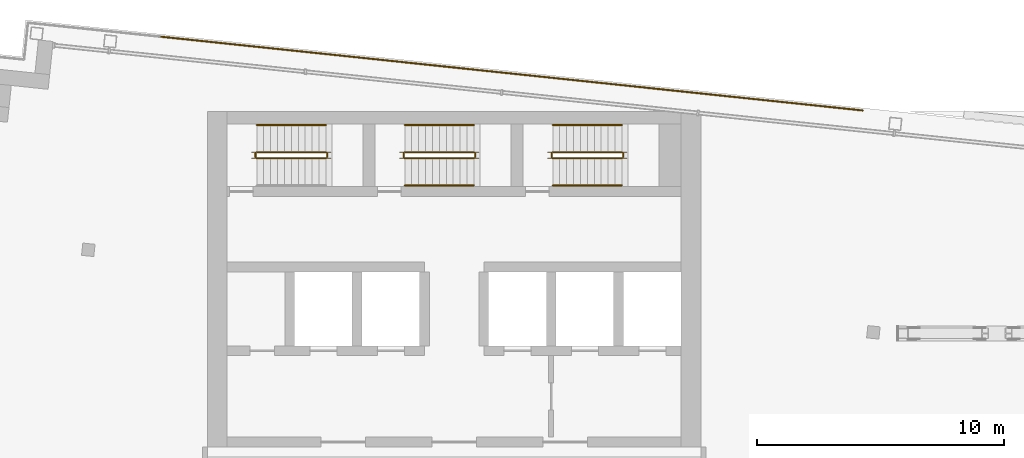
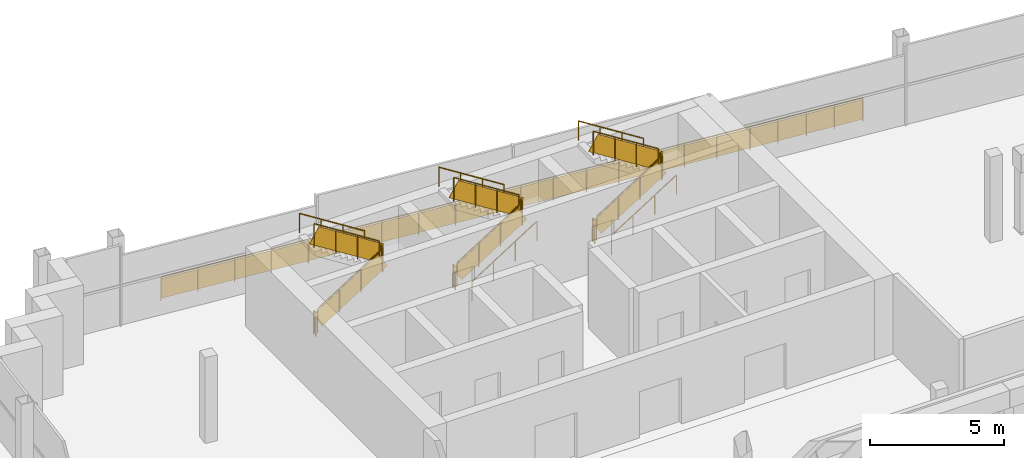
# One storey, part 17 of 18: 20 railings.
"""IFC4 building model written with IfcOpenShell, lengths in metres."""

from ifc_helpers import new_model, si_unit, direction, frame, origin, origin_2d, place, context, subcontext, project, spatial, rectangle, circle, extrude, material, type_object, element, save


model = new_model("IFC4")

# Units and contexts
model_context = context("Model", 3, precision=1e-05, world=origin(), true_north=direction((0.0, 1.0)))
body_context = subcontext(model_context, "Body", "Model", "MODEL_VIEW")
ifc_project = project(units=[si_unit("LENGTHUNIT", "METRE"), si_unit("AREAUNIT", "SQUARE_METRE"), si_unit("VOLUMEUNIT", "CUBIC_METRE"), si_unit("PLANEANGLEUNIT", "RADIAN"), si_unit("MASSUNIT", "GRAM", prefix="KILO")], contexts=[model_context])

# Site, building, storey
site_placement = place(None, origin())
site = spatial("IfcSite", under=ifc_project, at=site_placement, CompositionType="ELEMENT")
building_placement = place(site_placement, origin())
building = spatial("IfcBuilding", under=site, at=building_placement, Name="Vidyagriha Tower", CompositionType="ELEMENT")
storey_placement = place(building_placement, frame((0.0, 0.0, 249.199951171875)))
storey = spatial("IfcBuildingStorey", under=building, at=storey_placement, Name="L64", CompositionType="ELEMENT", Elevation=249.199951171875)

# Railings
ifc_material_1 = material(Name="Steel ASTM A500 Grade C black painted", Category="steel")
railing_type_1 = type_object("IfcRailingType", Name="Gallery guard 1100", PredefinedType="GUARDRAIL", material=ifc_material_1)
railing_1_placement = place(storey_placement, frame((-11.881591796875, 23.02880859375, 0.0)))
element("IfcRailing", 1, at=railing_1_placement, inside=storey, type_object=railing_type_1, Name="Gallery guard L64 2", PredefinedType="GUARDRAIL", context=body_context, shape_type="SweptSolid", body=[
    extrude(circle(Radius=0.02490234375, at=origin_2d()), frame((0.0, 0.0, 1.0751953125), z_axis=(0.994521271903, -0.104534394972, 0.0), x_axis=(0.104534394972, 0.994521271903, 0.0)), (0.0, 0.0, 1.0), 11.999755859375),
    extrude(circle(Radius=0.02001953125, at=origin_2d()), origin(), (0.0, 0.0, 1.0), 1.050048828125),
    extrude(circle(Radius=0.02001953125, at=origin_2d()), frame((1.49169921875, -0.15673828125, 0.0)), (0.0, 0.0, 1.0), 1.050048828125),
    extrude(circle(Radius=0.02001953125, at=origin_2d()), frame((2.9833984375, -0.3134765625, 0.0)), (0.0, 0.0, 1.0), 1.050048828125),
    extrude(circle(Radius=0.02001953125, at=origin_2d()), frame((4.475341796875, -0.470458984375, 0.0)), (0.0, 0.0, 1.0), 1.050048828125),
    extrude(circle(Radius=0.02001953125, at=origin_2d()), frame((5.967041015625, -0.627197265625, 0.0)), (0.0, 0.0, 1.0), 1.050048828125),
    extrude(circle(Radius=0.02001953125, at=origin_2d()), frame((7.458740234375, -0.783935546875, 0.0)), (0.0, 0.0, 1.0), 1.050048828125),
    extrude(circle(Radius=0.02001953125, at=origin_2d()), frame((8.95068359375, -0.94091796875, 0.0)), (0.0, 0.0, 1.0), 1.050048828125),
    extrude(circle(Radius=0.02001953125, at=origin_2d()), frame((10.4423828125, -1.09765625, 0.0)), (0.0, 0.0, 1.0), 1.050048828125),
    extrude(circle(Radius=0.02001953125, at=origin_2d()), frame((11.93408203125, -1.25439453125, 0.0)), (0.0, 0.0, 1.0), 1.050048828125),
    extrude(rectangle(XDim=0.010009765625, YDim=0.900146484375, at=origin_2d()), frame((0.0, 0.0, 0.550048828125), z_axis=(0.994521271903, -0.104534394972, 0.0), x_axis=(0.104534394972, 0.994521271903, 0.0)), (0.0, 0.0, 1.0), 11.999755859375),
])
railing_2_placement = place(storey_placement, frame((0.052490234375, 21.7744140625, 0.0)))
element("IfcRailing", 2, at=railing_2_placement, inside=storey, type_object=railing_type_1, Name="Gallery guard L64 3", PredefinedType="GUARDRAIL", context=body_context, shape_type="SweptSolid", body=[
    extrude(circle(Radius=0.02490234375, at=origin_2d()), frame((0.0, 0.0, 1.0751953125), z_axis=(0.994523609071, -0.104512157188, 0.0), x_axis=(0.104512157188, 0.994523609071, 0.0)), (0.0, 0.0, 1.0), 12.0),
    extrude(circle(Radius=0.02001953125, at=origin_2d()), origin(), (0.0, 0.0, 1.0), 1.050048828125),
    extrude(circle(Radius=0.02001953125, at=origin_2d()), frame((1.325927734375, -0.139404296875, 0.0)), (0.0, 0.0, 1.0), 1.050048828125),
    extrude(circle(Radius=0.02001953125, at=origin_2d()), frame((2.652099609375, -0.27880859375, 0.0)), (0.0, 0.0, 1.0), 1.050048828125),
    extrude(circle(Radius=0.02001953125, at=origin_2d()), frame((3.97802734375, -0.41796875, 0.0)), (0.0, 0.0, 1.0), 1.050048828125),
    extrude(circle(Radius=0.02001953125, at=origin_2d()), frame((5.30419921875, -0.557373046875, 0.0)), (0.0, 0.0, 1.0), 1.050048828125),
    extrude(circle(Radius=0.02001953125, at=origin_2d()), frame((6.630126953125, -0.69677734375, 0.0)), (0.0, 0.0, 1.0), 1.050048828125),
    extrude(circle(Radius=0.02001953125, at=origin_2d()), frame((7.956298828125, -0.836181640625, 0.0)), (0.0, 0.0, 1.0), 1.050048828125),
    extrude(circle(Radius=0.02001953125, at=origin_2d()), frame((9.2822265625, -0.975341796875, 0.0)), (0.0, 0.0, 1.0), 1.050048828125),
    extrude(circle(Radius=0.02001953125, at=origin_2d()), frame((10.6083984375, -1.11474609375, 0.0)), (0.0, 0.0, 1.0), 1.050048828125),
    extrude(circle(Radius=0.02001953125, at=origin_2d()), frame((11.934326171875, -1.254150390625, 0.0)), (0.0, 0.0, 1.0), 1.050048828125),
    extrude(rectangle(XDim=0.010009765625, YDim=0.900146484375, at=origin_2d()), frame((0.0, 0.0, 0.550048828125), z_axis=(0.994523609071, -0.104512157188, 0.0), x_axis=(0.104512157188, 0.994523609071, 0.0)), (0.0, 0.0, 1.0), 12.0),
])
railing_3_placement = place(storey_placement, frame((11.98681640625, 20.520263671875, 0.0)))
element("IfcRailing", 3, at=railing_3_placement, inside=storey, type_object=railing_type_1, Name="Gallery guard L64 4", PredefinedType="GUARDRAIL", context=body_context, shape_type="SweptSolid", body=[
    extrude(circle(Radius=0.02490234375, at=origin_2d()), frame((0.0, 0.0, 1.0751953125), z_axis=(0.99451879556, -0.10455795177, 0.0), x_axis=(0.10455795177, 0.99451879556, 0.0)), (0.0, 0.0, 1.0), 4.609130859375),
    extrude(circle(Radius=0.02001953125, at=origin_2d()), origin(), (0.0, 0.0, 1.0), 1.050048828125),
    extrude(circle(Radius=0.02001953125, at=origin_2d()), frame((1.14599609375, -0.12060546875, 0.0)), (0.0, 0.0, 1.0), 1.050048828125),
    extrude(circle(Radius=0.02001953125, at=origin_2d()), frame((2.2919921875, -0.240966796875, 0.0)), (0.0, 0.0, 1.0), 1.050048828125),
    extrude(circle(Radius=0.02001953125, at=origin_2d()), frame((3.43798828125, -0.361328125, 0.0)), (0.0, 0.0, 1.0), 1.050048828125),
    extrude(circle(Radius=0.02001953125, at=origin_2d()), frame((4.583984375, -0.48193359375, 0.0)), (0.0, 0.0, 1.0), 1.050048828125),
    extrude(rectangle(XDim=0.010009765625, YDim=0.900146484375, at=origin_2d()), frame((0.0, 0.0, 0.550048828125), z_axis=(0.99451879556, -0.10455795177, 0.0), x_axis=(0.10455795177, 0.99451879556, 0.0)), (0.0, 0.0, 1.0), 4.609130859375),
])
ifc_material_2 = material(Name="Steel ASTM A500 Grade C", Category="steel")
railing_type_2 = type_object("IfcRailingType", Name="Stair guard 1100 mm, steel balustrade", PredefinedType="GUARDRAIL", material=ifc_material_2)
railing_4_placement = place(storey_placement, frame((-8.0, 18.10009765625, 0.17724609375)))
element("IfcRailing", 4, at=railing_4_placement, inside=storey, type_object=railing_type_2, Name="L64 ST1 stair guard 1", PredefinedType="GUARDRAIL", context=body_context, shape_type="SweptSolid", body=[
    extrude(circle(Radius=0.02392578125, at=origin_2d()), frame((0.0, 0.0, 1.076171875), z_axis=(0.844908973607, 0.0, 0.534910110503), x_axis=(0.0, 1.0, 0.0)), (0.0, 0.0, 1.0), 3.31396484375),
    extrude(circle(Radius=0.02099609375, at=origin_2d()), origin(), (0.0, 0.0, 1.0), 1.052001953125),
    extrude(circle(Radius=0.02099609375, at=origin_2d()), frame((0.933349609375, 0.0, 0.5908203125)), (0.0, 0.0, 1.0), 1.052001953125),
    extrude(circle(Radius=0.02099609375, at=origin_2d()), frame((1.86669921875, 0.0, 1.181884765625)), (0.0, 0.0, 1.0), 1.052001953125),
    extrude(circle(Radius=0.02099609375, at=origin_2d()), frame((2.800048828125, 0.0, 1.772705078125)), (0.0, 0.0, 1.0), 1.052001953125),
    extrude(rectangle(XDim=0.010009765625, YDim=0.76220703125, at=origin_2d()), frame((0.0, 0.0, 0.551025390625), z_axis=(0.844908973607, 0.0, 0.534910110503), x_axis=(0.0, 1.0, 0.0)), (0.0, 0.0, 1.0), 3.31396484375),
])
railing_5_placement = place(storey_placement, frame((-5.14990234375, 18.14990234375, 1.949951171875)))
element("IfcRailing", 5, at=railing_5_placement, inside=storey, type_object=railing_type_2, Name="L64 ST1 stair guard 2", PredefinedType="GUARDRAIL", context=body_context, shape_type="SweptSolid", body=[
    extrude(circle(Radius=0.02392578125, at=origin_2d()), frame((0.0, 0.0, 1.076171875), z_axis=(0.0, 1.0, 0.0), x_axis=(-1.0, 0.0, 0.0)), (0.0, 0.0, 1.0), 0.150146484375),
    extrude(circle(Radius=0.02099609375, at=origin_2d()), origin(), (0.0, 0.0, 1.0), 1.052001953125),
    extrude(circle(Radius=0.02099609375, at=origin_2d()), frame((0.0, 0.150146484375, 0.0)), (0.0, 0.0, 1.0), 1.052001953125),
    extrude(rectangle(XDim=0.010009765625, YDim=0.902099609375, at=origin_2d()), frame((0.0, 0.0, 0.551025390625), z_axis=(0.0, 1.0, 0.0), x_axis=(-1.0, 0.0, 0.0)), (0.0, 0.0, 1.0), 0.150146484375),
])
railing_6_placement = place(storey_placement, frame((-5.199951171875, 18.35009765625, 2.12744140625)))
element("IfcRailing", 6, at=railing_6_placement, inside=storey, type_object=railing_type_2, Name="L64 ST1 stair guard 3", PredefinedType="GUARDRAIL", context=body_context, shape_type="SweptSolid", body=[
    extrude(circle(Radius=0.02392578125, at=origin_2d()), frame((0.0, 0.0, 1.076171875), z_axis=(-0.844908973607, 0.0, 0.534910110503), x_axis=(0.0, -1.0, 0.0)), (0.0, 0.0, 1.0), 3.31396484375),
    extrude(circle(Radius=0.02099609375, at=origin_2d()), origin(), (0.0, 0.0, 1.0), 1.052001953125),
    extrude(circle(Radius=0.02099609375, at=origin_2d()), frame((-0.933349609375, 0.0, 0.5908203125)), (0.0, 0.0, 1.0), 1.052001953125),
    extrude(circle(Radius=0.02099609375, at=origin_2d()), frame((-1.86669921875, 0.0, 1.181884765625)), (0.0, 0.0, 1.0), 1.052001953125),
    extrude(circle(Radius=0.02099609375, at=origin_2d()), frame((-2.800048828125, 0.0, 1.772705078125)), (0.0, 0.0, 1.0), 1.052001953125),
    extrude(rectangle(XDim=0.010009765625, YDim=0.76220703125, at=origin_2d()), frame((0.0, 0.0, 0.551025390625), z_axis=(-0.844908973607, 0.0, 0.534910110503), x_axis=(0.0, -1.0, 0.0)), (0.0, 0.0, 1.0), 3.31396484375),
])
railing_7_placement = place(storey_placement, frame((-8.050048828125, 18.14990234375, 0.0)))
element("IfcRailing", 7, at=railing_7_placement, inside=storey, type_object=railing_type_2, Name="L64 ST1 stair guard 4", PredefinedType="GUARDRAIL", context=body_context, shape_type="SweptSolid", body=[
    extrude(circle(Radius=0.02392578125, at=origin_2d()), frame((0.0, 0.0, 1.076171875), z_axis=(0.0, 1.0, 0.0), x_axis=(-1.0, 0.0, 0.0)), (0.0, 0.0, 1.0), 0.150146484375),
    extrude(circle(Radius=0.02099609375, at=origin_2d()), origin(), (0.0, 0.0, 1.0), 1.052001953125),
    extrude(circle(Radius=0.02099609375, at=origin_2d()), frame((0.0, 0.150146484375, 0.0)), (0.0, 0.0, 1.0), 1.052001953125),
    extrude(rectangle(XDim=0.010009765625, YDim=0.902099609375, at=origin_2d()), frame((0.0, 0.0, 0.551025390625), z_axis=(0.0, 1.0, 0.0), x_axis=(-1.0, 0.0, 0.0)), (0.0, 0.0, 1.0), 0.150146484375),
])
railing_8_placement = place(storey_placement, frame((-2.0, 18.10009765625, 0.17724609375)))
element("IfcRailing", 8, at=railing_8_placement, inside=storey, type_object=railing_type_2, Name="L64 ST2 stair guard 1", PredefinedType="GUARDRAIL", context=body_context, shape_type="SweptSolid", body=[
    extrude(circle(Radius=0.02392578125, at=origin_2d()), frame((0.0, 0.0, 1.076171875), z_axis=(0.844908973607, 0.0, 0.534910110503), x_axis=(0.0, 1.0, 0.0)), (0.0, 0.0, 1.0), 3.31396484375),
    extrude(circle(Radius=0.02099609375, at=origin_2d()), origin(), (0.0, 0.0, 1.0), 1.052001953125),
    extrude(circle(Radius=0.02099609375, at=origin_2d()), frame((0.933349609375, 0.0, 0.5908203125)), (0.0, 0.0, 1.0), 1.052001953125),
    extrude(circle(Radius=0.02099609375, at=origin_2d()), frame((1.86669921875, 0.0, 1.181884765625)), (0.0, 0.0, 1.0), 1.052001953125),
    extrude(circle(Radius=0.02099609375, at=origin_2d()), frame((2.800048828125, 0.0, 1.772705078125)), (0.0, 0.0, 1.0), 1.052001953125),
    extrude(rectangle(XDim=0.010009765625, YDim=0.76220703125, at=origin_2d()), frame((0.0, 0.0, 0.551025390625), z_axis=(0.844908973607, 0.0, 0.534910110503), x_axis=(0.0, 1.0, 0.0)), (0.0, 0.0, 1.0), 3.31396484375),
])
railing_9_placement = place(storey_placement, frame((0.85009765625, 18.14990234375, 1.949951171875)))
element("IfcRailing", 9, at=railing_9_placement, inside=storey, type_object=railing_type_2, Name="L64 ST2 stair guard 2", PredefinedType="GUARDRAIL", context=body_context, shape_type="SweptSolid", body=[
    extrude(circle(Radius=0.02392578125, at=origin_2d()), frame((0.0, 0.0, 1.076171875), z_axis=(0.0, 1.0, 0.0), x_axis=(-1.0, 0.0, 0.0)), (0.0, 0.0, 1.0), 0.150146484375),
    extrude(circle(Radius=0.02099609375, at=origin_2d()), origin(), (0.0, 0.0, 1.0), 1.052001953125),
    extrude(circle(Radius=0.02099609375, at=origin_2d()), frame((0.0, 0.150146484375, 0.0)), (0.0, 0.0, 1.0), 1.052001953125),
    extrude(rectangle(XDim=0.010009765625, YDim=0.902099609375, at=origin_2d()), frame((0.0, 0.0, 0.551025390625), z_axis=(0.0, 1.0, 0.0), x_axis=(-1.0, 0.0, 0.0)), (0.0, 0.0, 1.0), 0.150146484375),
])
railing_10_placement = place(storey_placement, frame((0.800048828125, 18.35009765625, 2.12744140625)))
element("IfcRailing", 10, at=railing_10_placement, inside=storey, type_object=railing_type_2, Name="L64 ST2 stair guard 3", PredefinedType="GUARDRAIL", context=body_context, shape_type="SweptSolid", body=[
    extrude(circle(Radius=0.02392578125, at=origin_2d()), frame((0.0, 0.0, 1.076171875), z_axis=(-0.844908973607, 0.0, 0.534910110503), x_axis=(0.0, -1.0, 0.0)), (0.0, 0.0, 1.0), 3.31396484375),
    extrude(circle(Radius=0.02099609375, at=origin_2d()), origin(), (0.0, 0.0, 1.0), 1.052001953125),
    extrude(circle(Radius=0.02099609375, at=origin_2d()), frame((-0.933349609375, 0.0, 0.5908203125)), (0.0, 0.0, 1.0), 1.052001953125),
    extrude(circle(Radius=0.02099609375, at=origin_2d()), frame((-1.86669921875, 0.0, 1.181884765625)), (0.0, 0.0, 1.0), 1.052001953125),
    extrude(circle(Radius=0.02099609375, at=origin_2d()), frame((-2.800048828125, 0.0, 1.772705078125)), (0.0, 0.0, 1.0), 1.052001953125),
    extrude(rectangle(XDim=0.010009765625, YDim=0.76220703125, at=origin_2d()), frame((0.0, 0.0, 0.551025390625), z_axis=(-0.844908973607, 0.0, 0.534910110503), x_axis=(0.0, -1.0, 0.0)), (0.0, 0.0, 1.0), 3.31396484375),
])
railing_11_placement = place(storey_placement, frame((-2.050048828125, 18.14990234375, 0.0)))
element("IfcRailing", 11, at=railing_11_placement, inside=storey, type_object=railing_type_2, Name="L64 ST2 stair guard 4", PredefinedType="GUARDRAIL", context=body_context, shape_type="SweptSolid", body=[
    extrude(circle(Radius=0.02392578125, at=origin_2d()), frame((0.0, 0.0, 1.076171875), z_axis=(0.0, 1.0, 0.0), x_axis=(-1.0, 0.0, 0.0)), (0.0, 0.0, 1.0), 0.150146484375),
    extrude(circle(Radius=0.02099609375, at=origin_2d()), origin(), (0.0, 0.0, 1.0), 1.052001953125),
    extrude(circle(Radius=0.02099609375, at=origin_2d()), frame((0.0, 0.150146484375, 0.0)), (0.0, 0.0, 1.0), 1.052001953125),
    extrude(rectangle(XDim=0.010009765625, YDim=0.902099609375, at=origin_2d()), frame((0.0, 0.0, 0.551025390625), z_axis=(0.0, 1.0, 0.0), x_axis=(-1.0, 0.0, 0.0)), (0.0, 0.0, 1.0), 0.150146484375),
])
railing_12_placement = place(storey_placement, frame((4.0, 18.10009765625, 0.17724609375)))
element("IfcRailing", 12, at=railing_12_placement, inside=storey, type_object=railing_type_2, Name="L64 ST3 stair guard 1", PredefinedType="GUARDRAIL", context=body_context, shape_type="SweptSolid", body=[
    extrude(circle(Radius=0.02392578125, at=origin_2d()), frame((0.0, 0.0, 1.076171875), z_axis=(0.844908973607, 0.0, 0.534910110503), x_axis=(0.0, 1.0, 0.0)), (0.0, 0.0, 1.0), 3.31396484375),
    extrude(circle(Radius=0.02099609375, at=origin_2d()), origin(), (0.0, 0.0, 1.0), 1.052001953125),
    extrude(circle(Radius=0.02099609375, at=origin_2d()), frame((0.933349609375, 0.0, 0.5908203125)), (0.0, 0.0, 1.0), 1.052001953125),
    extrude(circle(Radius=0.02099609375, at=origin_2d()), frame((1.86669921875, 0.0, 1.181884765625)), (0.0, 0.0, 1.0), 1.052001953125),
    extrude(circle(Radius=0.02099609375, at=origin_2d()), frame((2.800048828125, 0.0, 1.772705078125)), (0.0, 0.0, 1.0), 1.052001953125),
    extrude(rectangle(XDim=0.010009765625, YDim=0.76220703125, at=origin_2d()), frame((0.0, 0.0, 0.551025390625), z_axis=(0.844908973607, 0.0, 0.534910110503), x_axis=(0.0, 1.0, 0.0)), (0.0, 0.0, 1.0), 3.31396484375),
])
railing_13_placement = place(storey_placement, frame((6.85009765625, 18.14990234375, 1.949951171875)))
element("IfcRailing", 13, at=railing_13_placement, inside=storey, type_object=railing_type_2, Name="L64 ST3 stair guard 2", PredefinedType="GUARDRAIL", context=body_context, shape_type="SweptSolid", body=[
    extrude(circle(Radius=0.02392578125, at=origin_2d()), frame((0.0, 0.0, 1.076171875), z_axis=(0.0, 1.0, 0.0), x_axis=(-1.0, 0.0, 0.0)), (0.0, 0.0, 1.0), 0.150146484375),
    extrude(circle(Radius=0.02099609375, at=origin_2d()), origin(), (0.0, 0.0, 1.0), 1.052001953125),
    extrude(circle(Radius=0.02099609375, at=origin_2d()), frame((0.0, 0.150146484375, 0.0)), (0.0, 0.0, 1.0), 1.052001953125),
    extrude(rectangle(XDim=0.010009765625, YDim=0.902099609375, at=origin_2d()), frame((0.0, 0.0, 0.551025390625), z_axis=(0.0, 1.0, 0.0), x_axis=(-1.0, 0.0, 0.0)), (0.0, 0.0, 1.0), 0.150146484375),
])
railing_14_placement = place(storey_placement, frame((6.800048828125, 18.35009765625, 2.12744140625)))
element("IfcRailing", 14, at=railing_14_placement, inside=storey, type_object=railing_type_2, Name="L64 ST3 stair guard 3", PredefinedType="GUARDRAIL", context=body_context, shape_type="SweptSolid", body=[
    extrude(circle(Radius=0.02392578125, at=origin_2d()), frame((0.0, 0.0, 1.076171875), z_axis=(-0.844908973607, 0.0, 0.534910110503), x_axis=(0.0, -1.0, 0.0)), (0.0, 0.0, 1.0), 3.31396484375),
    extrude(circle(Radius=0.02099609375, at=origin_2d()), origin(), (0.0, 0.0, 1.0), 1.052001953125),
    extrude(circle(Radius=0.02099609375, at=origin_2d()), frame((-0.933349609375, 0.0, 0.5908203125)), (0.0, 0.0, 1.0), 1.052001953125),
    extrude(circle(Radius=0.02099609375, at=origin_2d()), frame((-1.86669921875, 0.0, 1.181884765625)), (0.0, 0.0, 1.0), 1.052001953125),
    extrude(circle(Radius=0.02099609375, at=origin_2d()), frame((-2.800048828125, 0.0, 1.772705078125)), (0.0, 0.0, 1.0), 1.052001953125),
    extrude(rectangle(XDim=0.010009765625, YDim=0.76220703125, at=origin_2d()), frame((0.0, 0.0, 0.551025390625), z_axis=(-0.844908973607, 0.0, 0.534910110503), x_axis=(0.0, -1.0, 0.0)), (0.0, 0.0, 1.0), 3.31396484375),
])
railing_15_placement = place(storey_placement, frame((3.949951171875, 18.14990234375, 0.0)))
element("IfcRailing", 15, at=railing_15_placement, inside=storey, type_object=railing_type_2, Name="L64 ST3 stair guard 4", PredefinedType="GUARDRAIL", context=body_context, shape_type="SweptSolid", body=[
    extrude(circle(Radius=0.02392578125, at=origin_2d()), frame((0.0, 0.0, 1.076171875), z_axis=(0.0, 1.0, 0.0), x_axis=(-1.0, 0.0, 0.0)), (0.0, 0.0, 1.0), 0.150146484375),
    extrude(circle(Radius=0.02099609375, at=origin_2d()), origin(), (0.0, 0.0, 1.0), 1.052001953125),
    extrude(circle(Radius=0.02099609375, at=origin_2d()), frame((0.0, 0.150146484375, 0.0)), (0.0, 0.0, 1.0), 1.052001953125),
    extrude(rectangle(XDim=0.010009765625, YDim=0.902099609375, at=origin_2d()), frame((0.0, 0.0, 0.551025390625), z_axis=(0.0, 1.0, 0.0), x_axis=(-1.0, 0.0, 0.0)), (0.0, 0.0, 1.0), 0.150146484375),
])
ifc_material_3 = material(Name="Steel ASTM A500 Grade C", Category="steel")
railing_type_3 = type_object("IfcRailingType", Name="Stair handrail 900 mm, steel", PredefinedType="HANDRAIL", material=ifc_material_3)
railing_16_placement = place(storey_placement, frame((-5.199951171875, 19.449951171875, 2.12744140625)))
element("IfcRailing", 16, at=railing_16_placement, inside=storey, type_object=railing_type_3, Name="L64 ST1 stair handrail 2", PredefinedType="HANDRAIL", context=body_context, shape_type="SweptSolid", body=[
    extrude(circle(Radius=0.02392578125, at=origin_2d()), frame((0.0, 0.0, 0.8759765625), z_axis=(-0.844908973607, 0.0, 0.534910110503), x_axis=(0.0, -1.0, 0.0)), (0.0, 0.0, 1.0), 3.31396484375),
    extrude(circle(Radius=0.02099609375, at=origin_2d()), origin(), (0.0, 0.0, 1.0), 0.851806640625),
    extrude(circle(Radius=0.02099609375, at=origin_2d()), frame((-0.933349609375, 0.0, 0.5908203125)), (0.0, 0.0, 1.0), 0.851806640625),
    extrude(circle(Radius=0.02099609375, at=origin_2d()), frame((-1.86669921875, 0.0, 1.181884765625)), (0.0, 0.0, 1.0), 0.851806640625),
    extrude(circle(Radius=0.02099609375, at=origin_2d()), frame((-2.800048828125, 0.0, 1.772705078125)), (0.0, 0.0, 1.0), 0.851806640625),
])
railing_17_placement = place(storey_placement, frame((-2.0, 17.0, 0.17724609375)))
element("IfcRailing", 17, at=railing_17_placement, inside=storey, type_object=railing_type_3, Name="L64 ST2 stair handrail 1", PredefinedType="HANDRAIL", context=body_context, shape_type="SweptSolid", body=[
    extrude(circle(Radius=0.02392578125, at=origin_2d()), frame((0.0, 0.0, 0.8759765625), z_axis=(0.844908973607, 0.0, 0.534910110503), x_axis=(0.0, 1.0, 0.0)), (0.0, 0.0, 1.0), 3.31396484375),
    extrude(circle(Radius=0.02099609375, at=origin_2d()), origin(), (0.0, 0.0, 1.0), 0.851806640625),
    extrude(circle(Radius=0.02099609375, at=origin_2d()), frame((0.933349609375, 0.0, 0.5908203125)), (0.0, 0.0, 1.0), 0.851806640625),
    extrude(circle(Radius=0.02099609375, at=origin_2d()), frame((1.86669921875, 0.0, 1.181884765625)), (0.0, 0.0, 1.0), 0.851806640625),
    extrude(circle(Radius=0.02099609375, at=origin_2d()), frame((2.800048828125, 0.0, 1.772705078125)), (0.0, 0.0, 1.0), 0.851806640625),
])
railing_18_placement = place(storey_placement, frame((0.800048828125, 19.449951171875, 2.12744140625)))
element("IfcRailing", 18, at=railing_18_placement, inside=storey, type_object=railing_type_3, Name="L64 ST2 stair handrail 2", PredefinedType="HANDRAIL", context=body_context, shape_type="SweptSolid", body=[
    extrude(circle(Radius=0.02392578125, at=origin_2d()), frame((0.0, 0.0, 0.8759765625), z_axis=(-0.844908973607, 0.0, 0.534910110503), x_axis=(0.0, -1.0, 0.0)), (0.0, 0.0, 1.0), 3.31396484375),
    extrude(circle(Radius=0.02099609375, at=origin_2d()), origin(), (0.0, 0.0, 1.0), 0.851806640625),
    extrude(circle(Radius=0.02099609375, at=origin_2d()), frame((-0.933349609375, 0.0, 0.5908203125)), (0.0, 0.0, 1.0), 0.851806640625),
    extrude(circle(Radius=0.02099609375, at=origin_2d()), frame((-1.86669921875, 0.0, 1.181884765625)), (0.0, 0.0, 1.0), 0.851806640625),
    extrude(circle(Radius=0.02099609375, at=origin_2d()), frame((-2.800048828125, 0.0, 1.772705078125)), (0.0, 0.0, 1.0), 0.851806640625),
])
railing_19_placement = place(storey_placement, frame((4.0, 17.0, 0.17724609375)))
element("IfcRailing", 19, at=railing_19_placement, inside=storey, type_object=railing_type_3, Name="L64 ST3 stair handrail 1", PredefinedType="HANDRAIL", context=body_context, shape_type="SweptSolid", body=[
    extrude(circle(Radius=0.02392578125, at=origin_2d()), frame((0.0, 0.0, 0.8759765625), z_axis=(0.844908973607, 0.0, 0.534910110503), x_axis=(0.0, 1.0, 0.0)), (0.0, 0.0, 1.0), 3.31396484375),
    extrude(circle(Radius=0.02099609375, at=origin_2d()), origin(), (0.0, 0.0, 1.0), 0.851806640625),
    extrude(circle(Radius=0.02099609375, at=origin_2d()), frame((0.933349609375, 0.0, 0.5908203125)), (0.0, 0.0, 1.0), 0.851806640625),
    extrude(circle(Radius=0.02099609375, at=origin_2d()), frame((1.86669921875, 0.0, 1.181884765625)), (0.0, 0.0, 1.0), 0.851806640625),
    extrude(circle(Radius=0.02099609375, at=origin_2d()), frame((2.800048828125, 0.0, 1.772705078125)), (0.0, 0.0, 1.0), 0.851806640625),
])
railing_20_placement = place(storey_placement, frame((6.800048828125, 19.449951171875, 2.12744140625)))
element("IfcRailing", 20, at=railing_20_placement, inside=storey, type_object=railing_type_3, Name="L64 ST3 stair handrail 2", PredefinedType="HANDRAIL", context=body_context, shape_type="SweptSolid", body=[
    extrude(circle(Radius=0.02392578125, at=origin_2d()), frame((0.0, 0.0, 0.8759765625), z_axis=(-0.844908973607, 0.0, 0.534910110503), x_axis=(0.0, -1.0, 0.0)), (0.0, 0.0, 1.0), 3.31396484375),
    extrude(circle(Radius=0.02099609375, at=origin_2d()), origin(), (0.0, 0.0, 1.0), 0.851806640625),
    extrude(circle(Radius=0.02099609375, at=origin_2d()), frame((-0.933349609375, 0.0, 0.5908203125)), (0.0, 0.0, 1.0), 0.851806640625),
    extrude(circle(Radius=0.02099609375, at=origin_2d()), frame((-1.86669921875, 0.0, 1.181884765625)), (0.0, 0.0, 1.0), 0.851806640625),
    extrude(circle(Radius=0.02099609375, at=origin_2d()), frame((-2.800048828125, 0.0, 1.772705078125)), (0.0, 0.0, 1.0), 0.851806640625),
])

save(model, "model.ifc")
